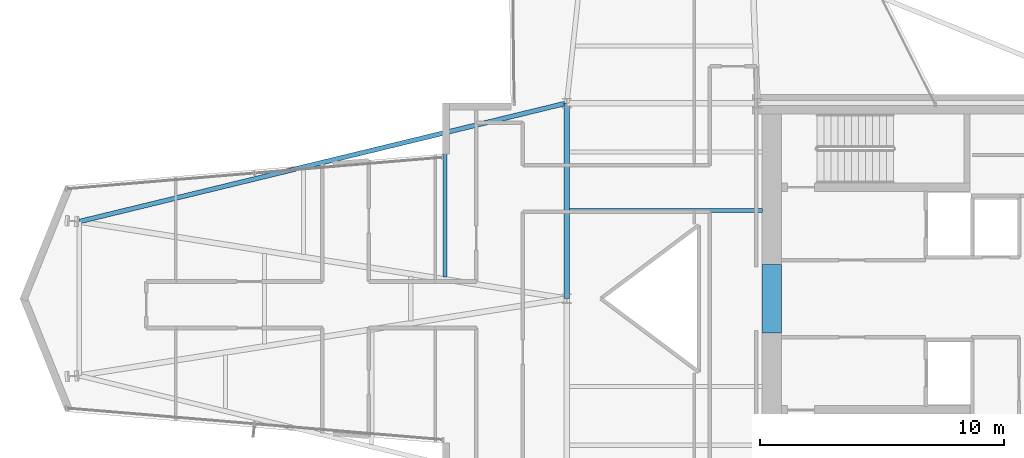
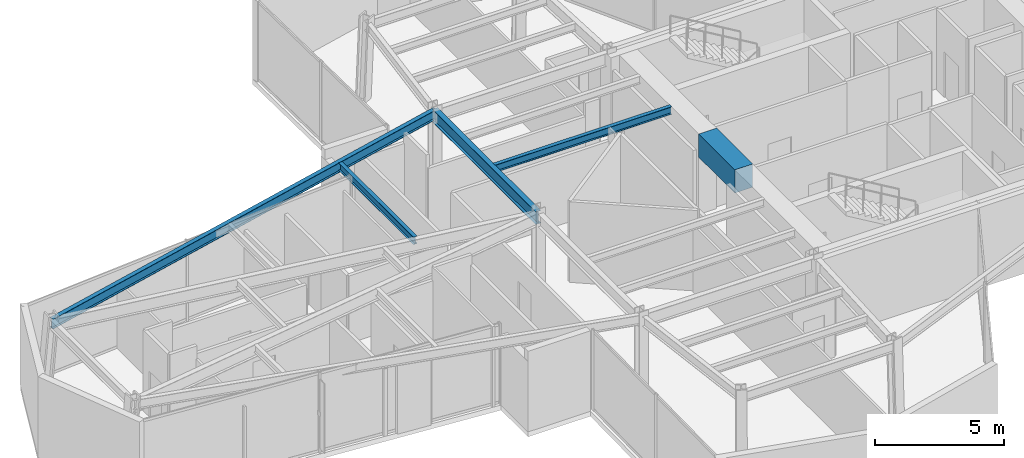
# One storey, part 9 of 25: 5 beams.
"""IFC4 building model written with IfcOpenShell, lengths in metres."""

import ifcopenshell
import ifcopenshell.guid

model = None  # the IFC model being written
_history = None  # IfcOwnerHistory: only IFC2X3 demands one
_inside = {}  # id of a spatial element -> (the spatial element, [elements in it])
_under = {}  # id of a project, library or spatial element -> (it, [spatial elements below it])
_declared = {}  # id of a project -> (the project, [libraries it declares])
_typed = {}  # id of a type object -> (the type object, [elements of that type])
_made_of = {}  # id of a material, layer set ... -> (it, [elements and type objects made of it])


def new_model(schema):
    """Start an empty IFC model of exactly this schema.

    Asked for "IFC4X3", IfcOpenShell would pick the latest addendum, in which some entities
    have other attributes; the version numbers below select the first issue.
    IFC2X3 requires an IfcOwnerHistory on every rooted entity: one is made here for all.
    """
    global model, _history
    if schema == "IFC4X3":
        model = ifcopenshell.file(schema_version=(4, 3, 0, 0))
    else:
        model = ifcopenshell.file(schema=schema)
    _inside.clear()
    _under.clear()
    _declared.clear()
    _typed.clear()
    _made_of.clear()
    _history = None
    if model.schema == "IFC2X3":
        org = make("IfcOrganization", Name="unknown")
        user = make(
            "IfcPersonAndOrganization",
            ThePerson=make("IfcPerson", FamilyName="unknown"),
            TheOrganization=org,
        )
        app = make(
            "IfcApplication",
            ApplicationDeveloper=org,
            Version="unknown",
            ApplicationFullName="unknown",
            ApplicationIdentifier="unknown",
        )
        _history = make(
            "IfcOwnerHistory",
            OwningUser=user,
            OwningApplication=app,
            ChangeAction="ADDED",
            CreationDate=0,
        )
    return model


def make(cls, **values):
    """One entity of the class cls with the attributes given. An attribute that is None is left unset."""
    return model.create_entity(
        cls, **{name: value for name, value in values.items() if value is not None}
    )


def rooted(cls, **values):
    """An entity with a GlobalId (a new one), such as an element, a storey or a relation."""
    return make(cls, GlobalId=ifcopenshell.guid.new(), OwnerHistory=_history, **values)


def si_unit(unit_type, name, prefix=None):
    """IfcSIUnit, for example si_unit("LENGTHUNIT", "METRE", prefix="MILLI")."""
    return make("IfcSIUnit", UnitType=unit_type, Prefix=prefix, Name=name)


def assignment(units):
    """IfcUnitAssignment: the units of a project."""
    return None if units is None else make("IfcUnitAssignment", Units=units)


def point(xyz):
    """IfcCartesianPoint."""
    return None if xyz is None else make("IfcCartesianPoint", Coordinates=xyz)


def direction(xyz):
    """IfcDirection."""
    return None if xyz is None else make("IfcDirection", DirectionRatios=xyz)


def frame(location, z_axis=None, x_axis=None):
    """IfcAxis2Placement3D, a coordinate frame: its origin and axes. An axis left out is left unset."""
    return make(
        "IfcAxis2Placement3D",
        Location=point(location),
        Axis=direction(z_axis),
        RefDirection=direction(x_axis),
    )


def frame_2d(location, x_axis=None):
    """IfcAxis2Placement2D, a coordinate frame in the plane: its origin and x axis."""
    return make(
        "IfcAxis2Placement2D", Location=point(location), RefDirection=direction(x_axis)
    )


def origin():
    """The frame at (0, 0, 0) with its axes left unset."""
    return frame((0.0, 0.0, 0.0))


def origin_2d():
    """The frame at (0, 0) in the plane with its x axis left unset."""
    return frame_2d((0.0, 0.0))


def place(relative_to, where):
    """IfcLocalPlacement: puts the frame where relative to a parent placement (None: the world)."""
    return make(
        "IfcLocalPlacement", PlacementRelTo=relative_to, RelativePlacement=where
    )


def context(
    kind, dimensions, precision=None, world=None, true_north=None, identifier=None
):
    """IfcGeometricRepresentationContext, for example the 3D "Model" context."""
    return make(
        "IfcGeometricRepresentationContext",
        ContextIdentifier=identifier,
        ContextType=kind,
        CoordinateSpaceDimension=dimensions,
        Precision=precision,
        WorldCoordinateSystem=world,
        TrueNorth=true_north,
    )


def subcontext(parent, identifier, kind, view, scale=None):
    """IfcGeometricRepresentationSubContext, for example "Body" below "Model"."""
    return make(
        "IfcGeometricRepresentationSubContext",
        ContextIdentifier=identifier,
        ContextType=kind,
        ParentContext=parent,
        TargetScale=scale,
        TargetView=view,
    )


def project(units=None, contexts=None):
    """IfcProject with its units and contexts."""
    return rooted(
        "IfcProject",
        Name="project",
        RepresentationContexts=contexts,
        UnitsInContext=assignment(units),
    )


def spatial(cls, under=None, at=None, **own):
    """A site, building, storey or space (cls), placed at a placement, below another one or the project."""
    s = rooted(cls, ObjectPlacement=at, **own)
    if under is not None:
        _under.setdefault(under.id(), (under, []))[1].append(s)
    return s


def profile(cls, at=None, kind="AREA", **sizes):
    """A parametric profile (cls). Its sizes go by their IFC names, for example OverallWidth=200.0."""
    return make(cls, ProfileType=kind, Position=at, **sizes)


def rectangle(**sizes):
    """IfcRectangleProfileDef."""
    return profile("IfcRectangleProfileDef", **sizes)


def i_section(**sizes):
    """IfcIShapeProfileDef."""
    return profile("IfcIShapeProfileDef", **sizes)


def extrude(swept, where, along, depth):
    """IfcExtrudedAreaSolid: the profile swept, set in the frame where, extruded along a direction by depth."""
    return make(
        "IfcExtrudedAreaSolid",
        SweptArea=swept,
        Position=where,
        ExtrudedDirection=direction(along),
        Depth=depth,
    )


def shape(context_of_items, identifier, shape_type, items):
    """IfcShapeRepresentation: the items that make up one representation, for example the "Body"."""
    return make(
        "IfcShapeRepresentation",
        ContextOfItems=context_of_items,
        RepresentationIdentifier=identifier,
        RepresentationType=shape_type,
        Items=items,
    )


def material(Name=None, Category=None):
    """IfcMaterial."""
    return make("IfcMaterial", Name=Name, Category=Category)


def material_profile(
    of_material, cross_section, Name=None, Category=None, Priority=None
):
    """IfcMaterialProfile: a cross section and its material."""
    return make(
        "IfcMaterialProfile",
        Name=Name,
        Material=of_material,
        Profile=cross_section,
        Priority=Priority,
        Category=Category,
    )


def profile_set(profiles, Name=None, composite=None):
    """IfcMaterialProfileSet."""
    return make(
        "IfcMaterialProfileSet",
        Name=Name,
        MaterialProfiles=profiles,
        CompositeProfile=composite,
    )


def made_of(thing, what):
    """Note that an element or type object is made of a material, layer set ...; save() writes the relation."""
    if what is not None:
        _made_of.setdefault(what.id(), (what, []))[1].append(thing)
    return thing


def type_object(cls, material=None, **own):
    """A type object (cls), such as IfcWallType, which elements share."""
    return made_of(rooted(cls, **own), material)


def element(
    cls,
    number,
    at=None,
    inside=None,
    cuts=None,
    type_object=None,
    material=None,
    context=None,
    identifier="Body",
    shape_type=None,
    held_by="IfcProductDefinitionShape",
    body=None,
    shapes=None,
    **own,
):
    """One element of the class cls, such as IfcWall. Its Tag is "e" and its number.

    at: its placement. inside: the storey or other place that contains it. cuts: it is an
    opening in that element (IfcRelVoidsElement). A single representation is given by context,
    identifier, shape_type and body (its items); several are given by shapes. held_by: the class
    of the entity that holds the representations. save() writes the other relations.
    """
    e = rooted(cls, Tag="e%d" % number, ObjectPlacement=at, **own)
    if body is not None:
        shapes = [shape(context, identifier, shape_type, body)]
    if shapes is not None:
        e.Representation = make(held_by, Representations=shapes)
    if inside is not None:
        _inside.setdefault(inside.id(), (inside, []))[1].append(e)
    if cuts is not None:
        rooted(
            "IfcRelVoidsElement", RelatingBuildingElement=cuts, RelatedOpeningElement=e
        )
    if type_object is not None:
        _typed.setdefault(type_object.id(), (type_object, []))[1].append(e)
    return made_of(e, material)


def aggregate(whole, parts):
    """IfcRelAggregates: a whole, such as a stair, and the parts it consists of."""
    return rooted("IfcRelAggregates", RelatingObject=whole, RelatedObjects=parts)


def save(model, path):
    """Write the relations noted so far, then the file.

    IfcRelAggregates (storeys below a building ...), IfcRelContainedInSpatialStructure (elements
    in a storey), IfcRelDefinesByType, IfcRelAssociatesMaterial and IfcRelDeclares: one each for
    every whole, place, type object, material and project.
    """
    for whole, parts in _under.values():
        aggregate(whole, parts)
    for where, things in _inside.values():
        rooted(
            "IfcRelContainedInSpatialStructure",
            RelatedElements=things,
            RelatingStructure=where,
        )
    for kind, things in _typed.values():
        rooted("IfcRelDefinesByType", RelatedObjects=things, RelatingType=kind)
    for what, things in _made_of.values():
        rooted("IfcRelAssociatesMaterial", RelatedObjects=things, RelatingMaterial=what)
    for by, libraries in _declared.values():
        rooted("IfcRelDeclares", RelatingContext=by, RelatedDefinitions=libraries)
    model.write(path)


model = new_model("IFC4")

# Units and contexts
model_context = context("Model", 3, precision=1e-05, world=origin(), true_north=direction((0.0, 1.0)))
body_context = subcontext(model_context, "Body", "Model", "MODEL_VIEW")
ifc_project = project(units=[si_unit("LENGTHUNIT", "METRE"), si_unit("AREAUNIT", "SQUARE_METRE"), si_unit("VOLUMEUNIT", "CUBIC_METRE"), si_unit("PLANEANGLEUNIT", "RADIAN"), si_unit("MASSUNIT", "GRAM", prefix="KILO")], contexts=[model_context])

# Site, building, storey
site_placement = place(None, origin())
site = spatial("IfcSite", under=ifc_project, at=site_placement, CompositionType="ELEMENT")
building_placement = place(site_placement, origin())
building = spatial("IfcBuilding", under=site, at=building_placement, Name="Veymaron Broadcast Tower", CompositionType="ELEMENT")
storey_placement = place(building_placement, frame((0.0, 0.0, 137.10009765625)))
storey = spatial("IfcBuildingStorey", under=building, at=storey_placement, Name="L31", CompositionType="ELEMENT", Elevation=137.10009765625)

# Beams
ifc_material_1 = material(Name="Concrete C70/85", Category="concrete")
ifc_material_profile_1 = material_profile(ifc_material_1, rectangle(XDim=0.800048828125, YDim=1.10009765625, at=origin_2d()), Name="RC800X1100")
ifc_profile_set_1 = profile_set([ifc_material_profile_1], Name="Concrete C70/85")
beam_type_1 = type_object("IfcBeamType", Name="BM-CB1", PredefinedType="LINTEL", material=ifc_profile_set_1)
beam_1_placement = place(storey_placement, frame((39.580078125, 22.60009765625, 3.260009765625), z_axis=(0.0, 1.0, 0.0), x_axis=(-1.0, 0.0, 0.0)))
element("IfcBeam", 1, at=beam_1_placement, inside=storey, type_object=beam_type_1, Name="L31 Core Wall west coupling beam", PredefinedType="LINTEL", context=body_context, shape_type="SweptSolid", body=[
    extrude(rectangle(XDim=0.800048828125, YDim=1.10009765625, at=origin_2d()), origin(), (0.0, 0.0, 1.0), 2.7998046875),
])
ifc_material_2 = material(Name="Structural steel ASTM A992 Gr 50", Category="steel")
ifc_material_profile_2 = material_profile(ifc_material_2, i_section(OverallWidth=0.22802734375, OverallDepth=0.60791015625, WebThickness=0.01123046875, FlangeThickness=0.017333984375, at=origin_2d()), Name="W610X113")
ifc_profile_set_2 = profile_set([ifc_material_profile_2], Name="Structural steel ASTM A992 Gr 50")
beam_type_2 = type_object("IfcBeamType", Name="BM-FG2", PredefinedType="BEAM", material=ifc_profile_set_2)
beam_2_placement = place(storey_placement, frame((31.199951171875, 24.0, 3.505859375), z_axis=(0.0, 1.0, 0.0), x_axis=(-1.0, 0.0, 0.0)))
element("IfcBeam", 2, at=beam_2_placement, inside=storey, type_object=beam_type_2, Name="L31 primary structural floor girder", PredefinedType="BEAM", context=body_context, shape_type="SweptSolid", body=[
    extrude(i_section(OverallWidth=0.22802734375, OverallDepth=0.60791015625, WebThickness=0.01123046875, FlangeThickness=0.017333984375, at=origin_2d()), origin(), (0.0, 0.0, 1.0), 8.0),
])
ifc_material_profile_3 = material_profile(ifc_material_2, i_section(OverallWidth=0.1708984375, OverallDepth=0.35498046875, WebThickness=0.007080078125, FlangeThickness=0.01171875, at=origin_2d()), Name="W360X51")
ifc_profile_set_3 = profile_set([ifc_material_profile_3], Name="Structural steel ASTM A992 Gr 50")
beam_type_3 = type_object("IfcBeamType", Name="BM-JS2", PredefinedType="JOIST", material=ifc_profile_set_3)
beam_3_placement = place(storey_placement, frame((26.21240234375, 24.887451171875, 3.63232421875), z_axis=(0.0, 1.0, 0.0), x_axis=(-1.0, 0.0, 0.0)))
element("IfcBeam", 3, at=beam_3_placement, inside=storey, type_object=beam_type_3, Name="L31 Arm-A secondary joist 2N", PredefinedType="JOIST", context=body_context, shape_type="SweptSolid", body=[
    extrude(i_section(OverallWidth=0.1708984375, OverallDepth=0.35498046875, WebThickness=0.007080078125, FlangeThickness=0.01171875, at=origin_2d()), origin(), (0.0, 0.0, 1.0), 5.800048828125),
])
beam_4_placement = place(storey_placement, frame((31.300048828125, 27.60009765625, 3.63232421875), z_axis=(1.0, 0.0, 0.0), x_axis=(0.0, 1.0, 0.0)))
element("IfcBeam", 4, at=beam_4_placement, inside=storey, type_object=beam_type_3, Name="L31 Hub secondary joist 3", PredefinedType="JOIST", context=body_context, shape_type="SweptSolid", body=[
    extrude(i_section(OverallWidth=0.1708984375, OverallDepth=0.35498046875, WebThickness=0.007080078125, FlangeThickness=0.01171875, at=origin_2d()), origin(), (0.0, 0.0, 1.0), 7.89990234375),
])
ifc_material_profile_4 = material_profile(ifc_material_2, i_section(OverallWidth=0.19091796875, OverallDepth=0.4599609375, WebThickness=0.010009765625, FlangeThickness=0.01611328125, at=origin_2d()), Name="W460X82")
ifc_profile_set_4 = profile_set([ifc_material_profile_4], Name="Structural steel ASTM A992 Gr 50")
beam_type_4 = type_object("IfcBeamType", Name="BM-SP1", PredefinedType="SPANDREL", material=ifc_profile_set_4)
beam_5_placement = place(storey_placement, frame((11.25, 27.14990234375, 3.579833984375), z_axis=(0.971696602386, 0.236232328251, 0.0), x_axis=(-0.236232328251, 0.971696602386, 0.0)))
element("IfcBeam", 5, at=beam_5_placement, inside=storey, type_object=beam_type_4, Name="L31 primary structural floor girder", PredefinedType="SPANDREL", context=body_context, shape_type="SweptSolid", body=[
    extrude(i_section(OverallWidth=0.19091796875, OverallDepth=0.4599609375, WebThickness=0.010009765625, FlangeThickness=0.01611328125, at=origin_2d()), origin(), (0.0, 0.0, 1.0), 20.531005859375),
])

save(model, "model.ifc")
